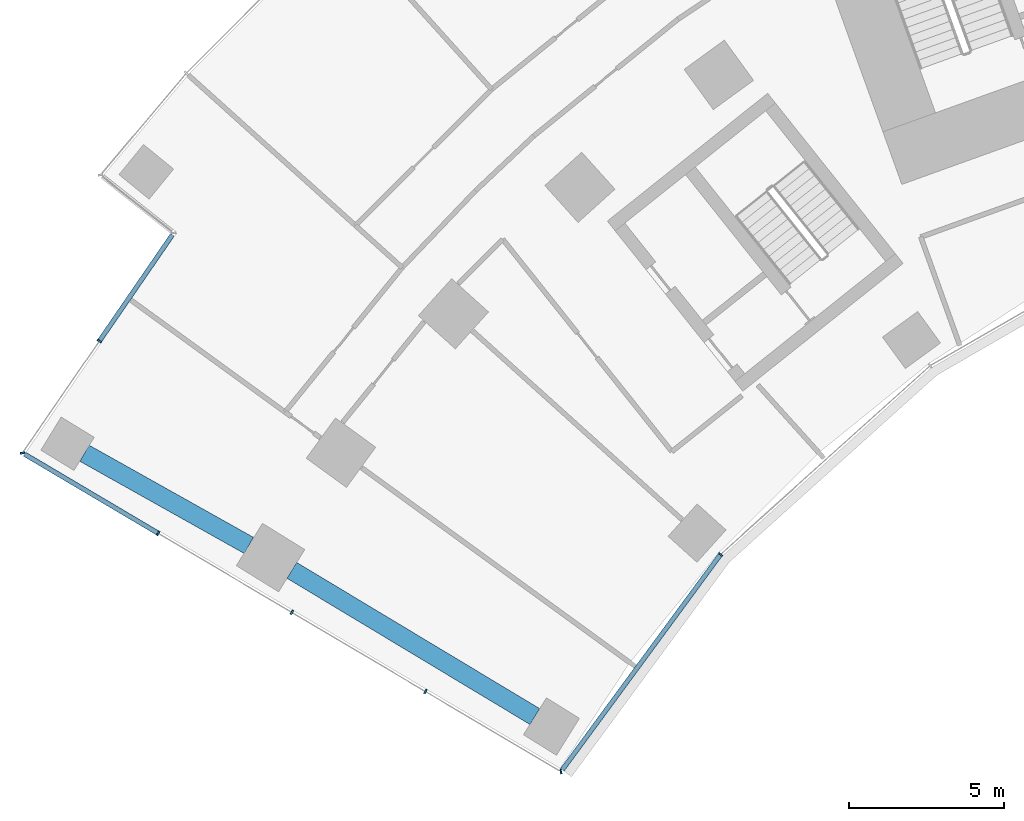
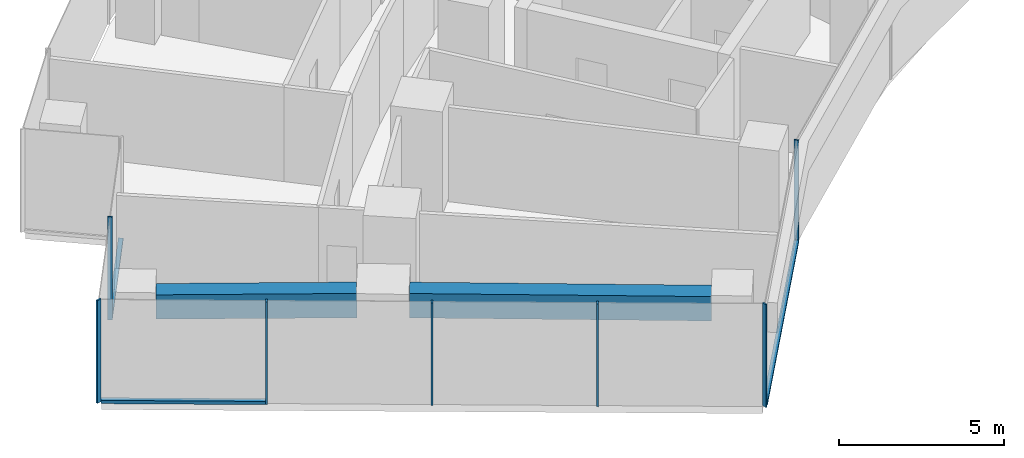
# One storey, part 2 of 21: 10 members, 2 beams, 3 elements without a shape of their own.
"""IFC4 building model written with IfcOpenShell, lengths in metres."""

from ifc_helpers import new_model, si_unit, direction, frame, origin, origin_2d, place, context, subcontext, project, spatial, rectangle, extrude, material, layer, layer_set, material_profile, profile_set, type_object, element, aggregate, save


model = new_model("IFC4")

# Units and contexts
model_context = context("Model", 3, precision=1e-05, world=origin(), true_north=direction((0.0, 1.0)))
body_context = subcontext(model_context, "Body", "Model", "MODEL_VIEW")
ifc_project = project(units=[si_unit("LENGTHUNIT", "METRE"), si_unit("AREAUNIT", "SQUARE_METRE"), si_unit("VOLUMEUNIT", "CUBIC_METRE"), si_unit("PLANEANGLEUNIT", "RADIAN"), si_unit("MASSUNIT", "GRAM", prefix="KILO")], contexts=[model_context])

# Site, building, storey
site_placement = place(None, origin())
site = spatial("IfcSite", under=ifc_project, at=site_placement, CompositionType="ELEMENT")
building_placement = place(site_placement, origin())
building = spatial("IfcBuilding", under=site, at=building_placement, Name="Stone Belt Terrace Tower", CompositionType="ELEMENT")
storey_placement = place(building_placement, frame((0.0, 0.0, 37.60009765625)))
storey = spatial("IfcBuildingStorey", under=building, at=storey_placement, Name="L08", CompositionType="ELEMENT", Elevation=37.60009765625)

# Curtain wall, members
ifc_material_1 = material(Name="Aluminium 6063-T6 anodised frame", Category="aluminium")
ifc_layer_1 = layer(ifc_material_1, 0.14990234375)
ifc_layer_set_1 = layer_set([ifc_layer_1], Name="CW-B unitised concave-face curtain wall")
curtain_wall_type_1 = type_object("IfcCurtainWallType", Name="CW-B unitised concave-face curtain wall", PredefinedType="NOTDEFINED", material=ifc_layer_set_1)
curtain_wall_1_placement = place(storey_placement, origin())
curtain_wall_1 = element("IfcCurtainWall", 1, at=curtain_wall_1_placement, inside=storey, type_object=curtain_wall_type_1, Name="CW-B concave face L08", PredefinedType="NOTDEFINED")
ifc_material_profile_1 = material_profile(ifc_material_1, rectangle(XDim=0.14990234375, YDim=0.050048828125, at=origin_2d()), Name="Aluminium 6063-T6 50x150")
ifc_profile_set_1 = profile_set([ifc_material_profile_1], Name="Aluminium 6063-T6 anodised frame")
member_type_1 = type_object("IfcMemberType", Name="CW-B mullion 50 x 150", PredefinedType="MULLION", material=ifc_profile_set_1)
member_1_placement = place(storey_placement, frame((-37.4140625, 22.0576171875, 0.0), z_axis=(0.0, 0.0, 1.0), x_axis=(-0.199957039009, 0.979804665508, 0.0)))
member_1 = element("IfcMember", 2, at=member_1_placement, type_object=member_type_1, Name="CW-B mullion 1", PredefinedType="MULLION", context=body_context, shape_type="SweptSolid", body=[
    extrude(rectangle(XDim=0.14990234375, YDim=0.050048828125, at=origin_2d()), origin(), (0.0, 0.0, 1.0), 3.7998046875),
])
member_2_placement = place(storey_placement, frame((-32.27099609375, 29.056640625, 0.0), z_axis=(0.0, 0.0, 1.0), x_axis=(-0.741329775891, 0.671140941515, 0.0)))
member_2 = element("IfcMember", 3, at=member_2_placement, type_object=member_type_1, Name="CW-B mullion 2", PredefinedType="MULLION", context=body_context, shape_type="SweptSolid", body=[
    extrude(rectangle(XDim=0.14990234375, YDim=0.050048828125, at=origin_2d()), origin(), (0.0, 0.0, 1.0), 3.7998046875),
])
ifc_material_profile_2 = material_profile(ifc_material_1, rectangle(XDim=0.14990234375, YDim=0.1201171875, at=origin_2d()), Name="Aluminium 6063-T6 150x120")
ifc_profile_set_2 = profile_set([ifc_material_profile_2], Name="Aluminium 6063-T6 anodised frame")
member_type_2 = type_object("IfcMemberType", Name="CW-B transom 120 x 150", PredefinedType="USERDEFINED", material=ifc_profile_set_2)
member_3_placement = place(storey_placement, frame((-37.373291015625, 22.11328125, 0.059814453125), z_axis=(0.592180847905, 0.805805090189, 0.0), x_axis=(-0.805805090189, 0.592180847905, 0.0)))
member_3 = element("IfcMember", 4, at=member_3_placement, type_object=member_type_2, Name="CW-B transom 1.1", ObjectType="TRANSOM", PredefinedType="USERDEFINED", context=body_context, shape_type="SweptSolid", body=[
    extrude(rectangle(XDim=0.14990234375, YDim=0.1201171875, at=origin_2d()), origin(), (0.0, 0.0, 1.0), 8.583984375),
])
aggregate(curtain_wall_1, [member_1, member_2, member_3])

# Curtain wall, member
ifc_layer_2 = layer(ifc_material_1, 0.14990234375)
ifc_layer_set_2 = layer_set([ifc_layer_2], Name="CW-C stick curtain wall, horn ends and notches")
curtain_wall_type_2 = type_object("IfcCurtainWallType", Name="CW-C stick curtain wall, horn ends and notches", PredefinedType="NOTDEFINED", material=ifc_layer_set_2)
curtain_wall_2_placement = place(storey_placement, origin())
curtain_wall_2 = element("IfcCurtainWall", 5, at=curtain_wall_2_placement, inside=storey, type_object=curtain_wall_type_2, Name="CW-C notch face L08", PredefinedType="NOTDEFINED")
ifc_material_profile_3 = material_profile(ifc_material_1, rectangle(XDim=0.14990234375, YDim=0.06005859375, at=origin_2d()), Name="Aluminium 6063-T6 60x150")
ifc_profile_set_3 = profile_set([ifc_material_profile_3], Name="Aluminium 6063-T6 anodised frame")
member_type_3 = type_object("IfcMemberType", Name="CW-C mullion 60 x 150", PredefinedType="MULLION", material=ifc_profile_set_3)
member_4_placement = place(storey_placement, frame((-52.275390625, 35.925048828125, 0.0), z_axis=(0.0, 0.0, 1.0), x_axis=(0.824146991357, -0.566375967567, 0.0)))
member_4 = element("IfcMember", 6, at=member_4_placement, type_object=member_type_3, Name="CW-C mullion 2", PredefinedType="MULLION", context=body_context, shape_type="SweptSolid", body=[
    extrude(rectangle(XDim=0.14990234375, YDim=0.06005859375, at=origin_2d()), origin(), (0.0, 0.0, 1.0), 3.7998046875),
])

# Curtain wall, members
curtain_wall_3_placement = place(storey_placement, origin())
curtain_wall_3 = element("IfcCurtainWall", 7, at=curtain_wall_3_placement, inside=storey, type_object=curtain_wall_type_2, Name="CW-C end face L08", PredefinedType="NOTDEFINED")
member_5_placement = place(storey_placement, frame((-54.752685546875, 32.3203125, 0.0), z_axis=(0.0, 0.0, 1.0), x_axis=(0.976519557331, 0.215428768157, 0.0)))
member_5 = element("IfcMember", 8, at=member_5_placement, type_object=member_type_3, Name="CW-C mullion 1", PredefinedType="MULLION", context=body_context, shape_type="SweptSolid", body=[
    extrude(rectangle(XDim=0.14990234375, YDim=0.06005859375, at=origin_2d()), origin(), (0.0, 0.0, 1.0), 3.7998046875),
])
member_6_placement = place(storey_placement, frame((-50.380859375, 29.732666015625, 0.0), z_axis=(0.0, 0.0, 1.0), x_axis=(0.509352918793, 0.860557728521, 0.0)))
member_6 = element("IfcMember", 9, at=member_6_placement, type_object=member_type_3, Name="CW-C mullion 2", PredefinedType="MULLION", context=body_context, shape_type="SweptSolid", body=[
    extrude(rectangle(XDim=0.14990234375, YDim=0.06005859375, at=origin_2d()), origin(), (0.0, 0.0, 1.0), 3.7998046875),
])
member_7_placement = place(storey_placement, frame((-46.078125, 27.185791015625, 0.0), z_axis=(0.0, 0.0, 1.0), x_axis=(0.509352918793, 0.860557728521, 0.0)))
member_7 = element("IfcMember", 10, at=member_7_placement, type_object=member_type_3, Name="CW-C mullion 3", PredefinedType="MULLION", context=body_context, shape_type="SweptSolid", body=[
    extrude(rectangle(XDim=0.14990234375, YDim=0.06005859375, at=origin_2d()), origin(), (0.0, 0.0, 1.0), 3.7998046875),
])
member_8_placement = place(storey_placement, frame((-41.775146484375, 24.63916015625, 0.0), z_axis=(0.0, 0.0, 1.0), x_axis=(0.509352918793, 0.860557728521, 0.0)))
member_8 = element("IfcMember", 11, at=member_8_placement, type_object=member_type_3, Name="CW-C mullion 4", PredefinedType="MULLION", context=body_context, shape_type="SweptSolid", body=[
    extrude(rectangle(XDim=0.14990234375, YDim=0.06005859375, at=origin_2d()), origin(), (0.0, 0.0, 1.0), 3.7998046875),
])

# Member
ifc_material_profile_4 = material_profile(ifc_material_1, rectangle(XDim=0.14990234375, YDim=0.1201171875, at=origin_2d()), Name="Aluminium 6063-T6 150x120")
ifc_profile_set_4 = profile_set([ifc_material_profile_4], Name="Aluminium 6063-T6 anodised frame")
member_type_4 = type_object("IfcMemberType", Name="CW-C transom 120 x 150", PredefinedType="USERDEFINED", material=ifc_profile_set_4)
member_9_placement = place(storey_placement, frame((-49.924560546875, 39.345703125, 0.059814453125), z_axis=(-0.566362850847, -0.824156005365, 0.0), x_axis=(0.824156005365, -0.566362850847, 0.0)))
member_9 = element("IfcMember", 12, at=member_9_placement, type_object=member_type_4, Name="CW-C transom 1.1", ObjectType="TRANSOM", PredefinedType="USERDEFINED", context=body_context, shape_type="SweptSolid", body=[
    extrude(rectangle(XDim=0.14990234375, YDim=0.1201171875, at=origin_2d()), origin(), (0.0, 0.0, 1.0), 4.12060546875),
])

aggregate(curtain_wall_2, [member_4, member_9])

member_10_placement = place(storey_placement, frame((-54.68798828125, 32.281982421875, 0.059814453125), z_axis=(0.860543319846, -0.509377261633, 0.0), x_axis=(0.509377261633, 0.860543319846, 0.0)))
member_10 = element("IfcMember", 13, at=member_10_placement, type_object=member_type_4, Name="CW-C transom 1.1", ObjectType="TRANSOM", PredefinedType="USERDEFINED", context=body_context, shape_type="SweptSolid", body=[
    extrude(rectangle(XDim=0.14990234375, YDim=0.1201171875, at=origin_2d()), origin(), (0.0, 0.0, 1.0), 4.97509765625),
])

aggregate(curtain_wall_3, [member_5, member_6, member_7, member_8, member_10])

# Beams
ifc_material_2 = material(Name="Concrete B60", Category="concrete")
ifc_material_profile_5 = material_profile(ifc_material_2, rectangle(XDim=0.60009765625, YDim=0.89990234375, at=origin_2d()), Name="RC 600x900")
ifc_profile_set_5 = profile_set([ifc_material_profile_5], Name="Concrete B60")
beam_type = type_object("IfcBeamType", Name="Edge beam RC 600x900 B60", PredefinedType="SPANDREL", material=ifc_profile_set_5)
beam_1_placement = place(storey_placement, frame((-38.253662109375, 23.83203125, 3.02978515625), z_axis=(-0.856900189152, 0.51548236229, 0.0), x_axis=(-0.51548236229, -0.856900189152, 0.0)))
element("IfcBeam", 14, at=beam_1_placement, inside=storey, type_object=beam_type, Name="Edge beam L08 A P to Q", PredefinedType="SPANDREL", context=body_context, shape_type="SweptSolid", body=[
    extrude(rectangle(XDim=0.60009765625, YDim=0.89990234375, at=origin_2d()), origin(), (0.0, 0.0, 1.0), 9.130859375),
])
beam_2_placement = place(storey_placement, frame((-47.4619140625, 29.3427734375, 3.02978515625), z_axis=(-0.872212947991, 0.489126336806, 0.0), x_axis=(-0.489126336806, -0.872212947991, 0.0)))
element("IfcBeam", 15, at=beam_2_placement, inside=storey, type_object=beam_type, Name="Edge beam L08 A Q to R", PredefinedType="SPANDREL", context=body_context, shape_type="SweptSolid", body=[
    extrude(rectangle(XDim=0.60009765625, YDim=0.89990234375, at=origin_2d()), origin(), (0.0, 0.0, 1.0), 6.069091796875),
])

save(model, "model.ifc")
